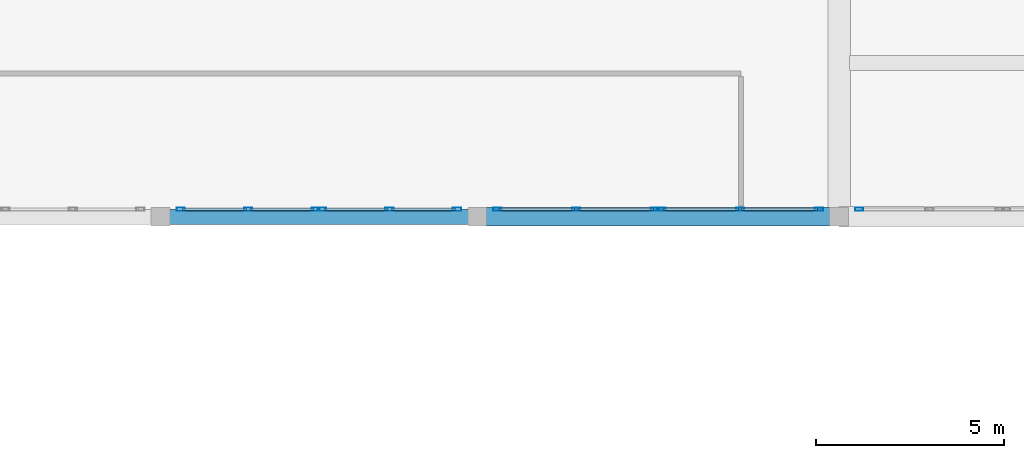
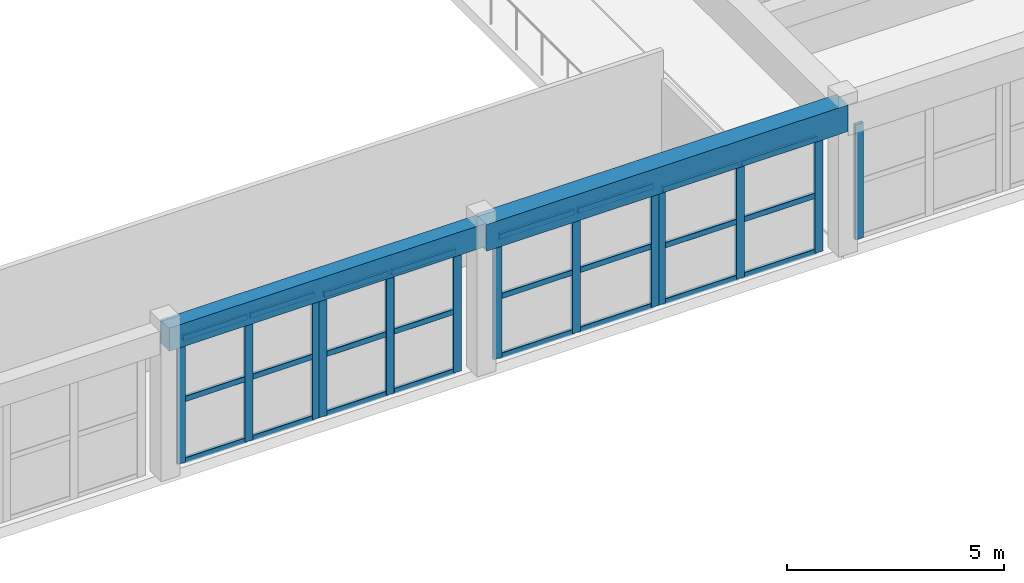
# One storey, part 19 of 92: 37 members, 2 beams, 5 elements without a shape of their own.
"""IFC4 building model written with IfcOpenShell, lengths in metres."""

from ifc_helpers import new_model, si_unit, direction, frame, origin, origin_2d, place, context, subcontext, project, spatial, rectangle, hollow_rectangle, extrude, material, layer, layer_set, material_profile, profile_set, type_object, element, aggregate, save


model = new_model("IFC4")

# Units and contexts
model_context = context("Model", 3, precision=1e-05, world=origin(), true_north=direction((0.0, 1.0)))
body_context = subcontext(model_context, "Body", "Model", "MODEL_VIEW")
ifc_project = project(units=[si_unit("LENGTHUNIT", "METRE"), si_unit("AREAUNIT", "SQUARE_METRE"), si_unit("VOLUMEUNIT", "CUBIC_METRE"), si_unit("PLANEANGLEUNIT", "RADIAN"), si_unit("MASSUNIT", "GRAM", prefix="KILO")], contexts=[model_context])

# Site, building, storey
site_placement = place(None, origin())
site = spatial("IfcSite", under=ifc_project, at=site_placement, CompositionType="ELEMENT")
building_placement = place(site_placement, origin())
building = spatial("IfcBuilding", under=site, at=building_placement, Name="Tarnavel Promenade Courthouse", CompositionType="ELEMENT")
storey_placement = place(building_placement, frame((0.0, 0.0, 5.39990234375)))
storey = spatial("IfcBuildingStorey", under=building, at=storey_placement, Name="L02", CompositionType="ELEMENT", Elevation=5.39990234375)

# Beams
ifc_material_1 = material(Name="Concrete C40/50", Category="concrete")
ifc_material_profile_1 = material_profile(ifc_material_1, rectangle(XDim=0.39990234375, YDim=0.64990234375, at=origin_2d()), Name="RC 400x650")
ifc_profile_set_1 = profile_set([ifc_material_profile_1], Name="Concrete C40/50")
beam_type_1 = type_object("IfcBeamType", Name="Concrete C40/50 BM-RC-400x650 (RC 400x650)", PredefinedType="BEAM", material=ifc_profile_set_1)
beam_1_placement = place(storey_placement, frame((84.0, 46.800048828125, 3.8701171875), z_axis=(1.0, 0.0, 0.0), x_axis=(0.0, 1.0, 0.0)))
element("IfcBeam", 1, at=beam_1_placement, inside=storey, type_object=beam_type_1, Name="L02 Primary Longitudinal Beam 1113", PredefinedType="BEAM", context=body_context, shape_type="SweptSolid", body=[
    extrude(rectangle(XDim=0.39990234375, YDim=0.64990234375, at=origin_2d()), origin(), (0.0, 0.0, 1.0), 8.39990234375),
])
ifc_material_profile_2 = material_profile(ifc_material_1, rectangle(XDim=0.5, YDim=0.75, at=origin_2d()), Name="RC 500x750")
ifc_profile_set_2 = profile_set([ifc_material_profile_2], Name="Concrete C40/50")
beam_type_2 = type_object("IfcBeamType", Name="Concrete C40/50 BM-RC-500x750 (RC 500x750)", PredefinedType="T_BEAM", material=ifc_profile_set_2)
beam_2_placement = place(storey_placement, frame((92.39990234375, 46.800048828125, 3.820068359375), z_axis=(1.0, 0.0, 0.0), x_axis=(0.0, 1.0, 0.0)))
element("IfcBeam", 2, at=beam_2_placement, inside=storey, type_object=beam_type_2, Name="L02 Primary Longitudinal Beam 1114", PredefinedType="T_BEAM", context=body_context, shape_type="SweptSolid", body=[
    extrude(rectangle(XDim=0.5, YDim=0.75, at=origin_2d()), origin(), (0.0, 0.0, 1.0), 9.60009765625),
])

# Curtain wall, members
ifc_material_2 = material(Name="Thermally Broken Anodised Aluminium Curtain Wall System", Category="aluminium")
ifc_layer = layer(ifc_material_2, 0.239990234375)
ifc_layer_set = layer_set([ifc_layer], Name="Thermally Broken Anodised Aluminium Curtain Wall System")
curtain_wall_type = type_object("IfcCurtainWallType", Name="Thermally Broken Aluminium Triple-Glazed Curtain Wall CW-WG-S", PredefinedType="NOTDEFINED", material=ifc_layer_set)
curtain_wall_1_placement = place(storey_placement, origin())
curtain_wall_1 = element("IfcCurtainWall", 3, at=curtain_wall_1_placement, inside=storey, type_object=curtain_wall_type, Name="L02 Winter-Garden South Solar Curtain Wall 073", PredefinedType="NOTDEFINED")
ifc_material_3 = material(Name="Thermally Broken Anodised Aluminium Frame", Category="aluminium")
ifc_material_profile_3 = material_profile(ifc_material_3, hollow_rectangle(XDim=0.090087890625, YDim=0.219970703125, WallThickness=0.0048828125, InnerFilletRadius=0.0048828125, OuterFilletRadius=0.010009765625, at=origin_2d()), Name="CWM 220x90x5")
ifc_profile_set_3 = profile_set([ifc_material_profile_3], Name="Thermally Broken Anodised Aluminium Frame")
member_type_1 = type_object("IfcMemberType", Name="Thermally Broken Anodised Aluminium CWM-175 (CWM 220x90x5)", PredefinedType="MULLION", material=ifc_profile_set_3)
member_1_placement = place(storey_placement, frame((84.534912109375, 47.0, 0.0), z_axis=(0.0, 0.0, 1.0), x_axis=(0.0, 1.0, 0.0)))
member_1 = element("IfcMember", 4, at=member_1_placement, type_object=member_type_1, Name="CW-02 mullion 1", PredefinedType="MULLION", context=body_context, shape_type="SweptSolid", body=[
    extrude(hollow_rectangle(XDim=0.090087890625, YDim=0.219970703125, WallThickness=0.0048828125, InnerFilletRadius=0.0048828125, OuterFilletRadius=0.010009765625, at=origin_2d()), origin(), (0.0, 0.0, 1.0), 3.530029296875),
])
member_2_placement = place(storey_placement, frame((86.324951171875, 47.0, 0.0), z_axis=(0.0, 0.0, 1.0), x_axis=(0.0, 1.0, 0.0)))
member_2 = element("IfcMember", 5, at=member_2_placement, type_object=member_type_1, Name="CW-02 mullion 2", PredefinedType="MULLION", context=body_context, shape_type="SweptSolid", body=[
    extrude(hollow_rectangle(XDim=0.090087890625, YDim=0.219970703125, WallThickness=0.0048828125, InnerFilletRadius=0.0048828125, OuterFilletRadius=0.010009765625, at=origin_2d()), origin(), (0.0, 0.0, 1.0), 3.530029296875),
])
member_3_placement = place(storey_placement, frame((88.114990234375, 47.0, 0.0), z_axis=(0.0, 0.0, 1.0), x_axis=(0.0, 1.0, 0.0)))
member_3 = element("IfcMember", 6, at=member_3_placement, type_object=member_type_1, Name="CW-02 mullion 3", PredefinedType="MULLION", context=body_context, shape_type="SweptSolid", body=[
    extrude(hollow_rectangle(XDim=0.090087890625, YDim=0.219970703125, WallThickness=0.0048828125, InnerFilletRadius=0.0048828125, OuterFilletRadius=0.010009765625, at=origin_2d()), origin(), (0.0, 0.0, 1.0), 3.530029296875),
])

curtain_wall_2_placement = place(storey_placement, origin())
curtain_wall_2 = element("IfcCurtainWall", 7, at=curtain_wall_2_placement, inside=storey, type_object=curtain_wall_type, Name="L02 Winter-Garden South Solar Curtain Wall 074", PredefinedType="NOTDEFINED")
member_4_placement = place(storey_placement, frame((88.284912109375, 47.0, 0.0), z_axis=(0.0, 0.0, 1.0), x_axis=(0.0, 1.0, 0.0)))
member_4 = element("IfcMember", 8, at=member_4_placement, type_object=member_type_1, Name="CW-02 mullion 1", PredefinedType="MULLION", context=body_context, shape_type="SweptSolid", body=[
    extrude(hollow_rectangle(XDim=0.090087890625, YDim=0.219970703125, WallThickness=0.0048828125, InnerFilletRadius=0.0048828125, OuterFilletRadius=0.010009765625, at=origin_2d()), origin(), (0.0, 0.0, 1.0), 3.43017578125),
])
member_5_placement = place(storey_placement, frame((90.074951171875, 47.0, 0.0), z_axis=(0.0, 0.0, 1.0), x_axis=(0.0, 1.0, 0.0)))
member_5 = element("IfcMember", 9, at=member_5_placement, type_object=member_type_1, Name="CW-02 mullion 2", PredefinedType="MULLION", context=body_context, shape_type="SweptSolid", body=[
    extrude(hollow_rectangle(XDim=0.090087890625, YDim=0.219970703125, WallThickness=0.0048828125, InnerFilletRadius=0.0048828125, OuterFilletRadius=0.010009765625, at=origin_2d()), origin(), (0.0, 0.0, 1.0), 3.43017578125),
])
member_6_placement = place(storey_placement, frame((91.864990234375, 47.0, 0.0), z_axis=(0.0, 0.0, 1.0), x_axis=(0.0, 1.0, 0.0)))
member_6 = element("IfcMember", 10, at=member_6_placement, type_object=member_type_1, Name="CW-02 mullion 3", PredefinedType="MULLION", context=body_context, shape_type="SweptSolid", body=[
    extrude(hollow_rectangle(XDim=0.090087890625, YDim=0.219970703125, WallThickness=0.0048828125, InnerFilletRadius=0.0048828125, OuterFilletRadius=0.010009765625, at=origin_2d()), origin(), (0.0, 0.0, 1.0), 3.43017578125),
])

curtain_wall_3_placement = place(storey_placement, origin())
curtain_wall_3 = element("IfcCurtainWall", 11, at=curtain_wall_3_placement, inside=storey, type_object=curtain_wall_type, Name="L02 Winter-Garden South Solar Curtain Wall 075", PredefinedType="NOTDEFINED")
member_7_placement = place(storey_placement, frame((92.93505859375, 47.0, 0.0), z_axis=(0.0, 0.0, 1.0), x_axis=(0.0, 1.0, 0.0)))
member_7 = element("IfcMember", 12, at=member_7_placement, type_object=member_type_1, Name="CW-02 mullion 1", PredefinedType="MULLION", context=body_context, shape_type="SweptSolid", body=[
    extrude(hollow_rectangle(XDim=0.090087890625, YDim=0.219970703125, WallThickness=0.0048828125, InnerFilletRadius=0.0048828125, OuterFilletRadius=0.010009765625, at=origin_2d()), origin(), (0.0, 0.0, 1.0), 3.43017578125),
])
member_8_placement = place(storey_placement, frame((95.02490234375, 47.0, 0.0), z_axis=(0.0, 0.0, 1.0), x_axis=(0.0, 1.0, 0.0)))
member_8 = element("IfcMember", 13, at=member_8_placement, type_object=member_type_1, Name="CW-02 mullion 2", PredefinedType="MULLION", context=body_context, shape_type="SweptSolid", body=[
    extrude(hollow_rectangle(XDim=0.090087890625, YDim=0.219970703125, WallThickness=0.0048828125, InnerFilletRadius=0.0048828125, OuterFilletRadius=0.010009765625, at=origin_2d()), origin(), (0.0, 0.0, 1.0), 3.43017578125),
])
member_9_placement = place(storey_placement, frame((97.114990234375, 47.0, 0.0), z_axis=(0.0, 0.0, 1.0), x_axis=(0.0, 1.0, 0.0)))
member_9 = element("IfcMember", 14, at=member_9_placement, type_object=member_type_1, Name="CW-02 mullion 3", PredefinedType="MULLION", context=body_context, shape_type="SweptSolid", body=[
    extrude(hollow_rectangle(XDim=0.090087890625, YDim=0.219970703125, WallThickness=0.0048828125, InnerFilletRadius=0.0048828125, OuterFilletRadius=0.010009765625, at=origin_2d()), origin(), (0.0, 0.0, 1.0), 3.43017578125),
])

curtain_wall_4_placement = place(storey_placement, origin())
curtain_wall_4 = element("IfcCurtainWall", 15, at=curtain_wall_4_placement, inside=storey, type_object=curtain_wall_type, Name="L02 Winter-Garden South Solar Curtain Wall 076", PredefinedType="NOTDEFINED")
member_10_placement = place(storey_placement, frame((97.284912109375, 47.0, 0.0), z_axis=(0.0, 0.0, 1.0), x_axis=(0.0, 1.0, 0.0)))
member_10 = element("IfcMember", 16, at=member_10_placement, type_object=member_type_1, Name="CW-02 mullion 1", PredefinedType="MULLION", context=body_context, shape_type="SweptSolid", body=[
    extrude(hollow_rectangle(XDim=0.090087890625, YDim=0.219970703125, WallThickness=0.0048828125, InnerFilletRadius=0.0048828125, OuterFilletRadius=0.010009765625, at=origin_2d()), origin(), (0.0, 0.0, 1.0), 3.22998046875),
])
member_11_placement = place(storey_placement, frame((99.375, 47.0, 0.0), z_axis=(0.0, 0.0, 1.0), x_axis=(0.0, 1.0, 0.0)))
member_11 = element("IfcMember", 17, at=member_11_placement, type_object=member_type_1, Name="CW-02 mullion 2", PredefinedType="MULLION", context=body_context, shape_type="SweptSolid", body=[
    extrude(hollow_rectangle(XDim=0.090087890625, YDim=0.219970703125, WallThickness=0.0048828125, InnerFilletRadius=0.0048828125, OuterFilletRadius=0.010009765625, at=origin_2d()), origin(), (0.0, 0.0, 1.0), 3.22998046875),
])
member_12_placement = place(storey_placement, frame((101.465087890625, 47.0, 0.0), z_axis=(0.0, 0.0, 1.0), x_axis=(0.0, 1.0, 0.0)))
member_12 = element("IfcMember", 18, at=member_12_placement, type_object=member_type_1, Name="CW-02 mullion 3", PredefinedType="MULLION", context=body_context, shape_type="SweptSolid", body=[
    extrude(hollow_rectangle(XDim=0.090087890625, YDim=0.219970703125, WallThickness=0.0048828125, InnerFilletRadius=0.0048828125, OuterFilletRadius=0.010009765625, at=origin_2d()), origin(), (0.0, 0.0, 1.0), 3.22998046875),
])

# Curtain wall, member
curtain_wall_5_placement = place(storey_placement, origin())
curtain_wall_5 = element("IfcCurtainWall", 19, at=curtain_wall_5_placement, inside=storey, type_object=curtain_wall_type, Name="L02 Winter-Garden South Solar Curtain Wall 077", PredefinedType="NOTDEFINED")
member_13_placement = place(storey_placement, frame((102.534912109375, 47.0, 0.0), z_axis=(0.0, 0.0, 1.0), x_axis=(0.0, 1.0, 0.0)))
member_13 = element("IfcMember", 20, at=member_13_placement, type_object=member_type_1, Name="CW-02 mullion 1", PredefinedType="MULLION", context=body_context, shape_type="SweptSolid", body=[
    extrude(hollow_rectangle(XDim=0.090087890625, YDim=0.219970703125, WallThickness=0.0048828125, InnerFilletRadius=0.0048828125, OuterFilletRadius=0.010009765625, at=origin_2d()), origin(), (0.0, 0.0, 1.0), 3.22998046875),
])
aggregate(curtain_wall_5, [member_13])

# Member
ifc_material_profile_4 = material_profile(ifc_material_3, hollow_rectangle(XDim=0.080078125, YDim=0.159912109375, WallThickness=0.0048828125, InnerFilletRadius=0.0048828125, OuterFilletRadius=0.010009765625, at=origin_2d()), Name="CWT 160x80x5")
ifc_profile_set_4 = profile_set([ifc_material_profile_4], Name="Thermally Broken Anodised Aluminium Frame")
member_type_2 = type_object("IfcMemberType", Name="Thermally Broken Anodised Aluminium CWT-145 (CWT 160x80x5)", PredefinedType="USERDEFINED", material=ifc_profile_set_4)
member_14_placement = place(storey_placement, frame((84.580078125, 47.0, 0.0400390625), z_axis=(1.0, 0.0, 0.0), x_axis=(0.0, 1.0, 0.0)))
member_14 = element("IfcMember", 21, at=member_14_placement, type_object=member_type_2, Name="CW-02 transom 1.1", ObjectType="TRANSOM", PredefinedType="USERDEFINED", context=body_context, shape_type="SweptSolid", body=[
    extrude(hollow_rectangle(XDim=0.080078125, YDim=0.159912109375, WallThickness=0.0048828125, InnerFilletRadius=0.0048828125, OuterFilletRadius=0.010009765625, at=origin_2d()), origin(), (0.0, 0.0, 1.0), 1.699951171875),
])

member_15_placement = place(storey_placement, frame((84.580078125, 47.0, 1.76513671875), z_axis=(1.0, 0.0, 0.0), x_axis=(0.0, 1.0, 0.0)))
member_15 = element("IfcMember", 22, at=member_15_placement, type_object=member_type_2, Name="CW-02 transom 1.2", ObjectType="TRANSOM", PredefinedType="USERDEFINED", context=body_context, shape_type="SweptSolid", body=[
    extrude(hollow_rectangle(XDim=0.080078125, YDim=0.159912109375, WallThickness=0.0048828125, InnerFilletRadius=0.0048828125, OuterFilletRadius=0.010009765625, at=origin_2d()), origin(), (0.0, 0.0, 1.0), 1.699951171875),
])

member_16_placement = place(storey_placement, frame((84.580078125, 47.0, 3.489990234375), z_axis=(1.0, 0.0, 0.0), x_axis=(0.0, 1.0, 0.0)))
member_16 = element("IfcMember", 23, at=member_16_placement, type_object=member_type_2, Name="CW-02 transom 1.3", ObjectType="TRANSOM", PredefinedType="USERDEFINED", context=body_context, shape_type="SweptSolid", body=[
    extrude(hollow_rectangle(XDim=0.080078125, YDim=0.159912109375, WallThickness=0.0048828125, InnerFilletRadius=0.0048828125, OuterFilletRadius=0.010009765625, at=origin_2d()), origin(), (0.0, 0.0, 1.0), 1.699951171875),
])

member_17_placement = place(storey_placement, frame((86.3701171875, 47.0, 0.0400390625), z_axis=(1.0, 0.0, 0.0), x_axis=(0.0, 1.0, 0.0)))
member_17 = element("IfcMember", 24, at=member_17_placement, type_object=member_type_2, Name="CW-02 transom 2.1", ObjectType="TRANSOM", PredefinedType="USERDEFINED", context=body_context, shape_type="SweptSolid", body=[
    extrude(hollow_rectangle(XDim=0.080078125, YDim=0.159912109375, WallThickness=0.0048828125, InnerFilletRadius=0.0048828125, OuterFilletRadius=0.010009765625, at=origin_2d()), origin(), (0.0, 0.0, 1.0), 1.699951171875),
])

member_18_placement = place(storey_placement, frame((86.3701171875, 47.0, 1.76513671875), z_axis=(1.0, 0.0, 0.0), x_axis=(0.0, 1.0, 0.0)))
member_18 = element("IfcMember", 25, at=member_18_placement, type_object=member_type_2, Name="CW-02 transom 2.2", ObjectType="TRANSOM", PredefinedType="USERDEFINED", context=body_context, shape_type="SweptSolid", body=[
    extrude(hollow_rectangle(XDim=0.080078125, YDim=0.159912109375, WallThickness=0.0048828125, InnerFilletRadius=0.0048828125, OuterFilletRadius=0.010009765625, at=origin_2d()), origin(), (0.0, 0.0, 1.0), 1.699951171875),
])

member_19_placement = place(storey_placement, frame((86.3701171875, 47.0, 3.489990234375), z_axis=(1.0, 0.0, 0.0), x_axis=(0.0, 1.0, 0.0)))
member_19 = element("IfcMember", 26, at=member_19_placement, type_object=member_type_2, Name="CW-02 transom 2.3", ObjectType="TRANSOM", PredefinedType="USERDEFINED", context=body_context, shape_type="SweptSolid", body=[
    extrude(hollow_rectangle(XDim=0.080078125, YDim=0.159912109375, WallThickness=0.0048828125, InnerFilletRadius=0.0048828125, OuterFilletRadius=0.010009765625, at=origin_2d()), origin(), (0.0, 0.0, 1.0), 1.699951171875),
])

aggregate(curtain_wall_1, [member_1, member_2, member_3, member_14, member_15, member_16, member_17, member_18, member_19])

member_20_placement = place(storey_placement, frame((88.330078125, 47.0, 0.0400390625), z_axis=(1.0, 0.0, 0.0), x_axis=(0.0, 1.0, 0.0)))
member_20 = element("IfcMember", 27, at=member_20_placement, type_object=member_type_2, Name="CW-02 transom 1.1", ObjectType="TRANSOM", PredefinedType="USERDEFINED", context=body_context, shape_type="SweptSolid", body=[
    extrude(hollow_rectangle(XDim=0.080078125, YDim=0.159912109375, WallThickness=0.0048828125, InnerFilletRadius=0.0048828125, OuterFilletRadius=0.010009765625, at=origin_2d()), origin(), (0.0, 0.0, 1.0), 1.699951171875),
])

member_21_placement = place(storey_placement, frame((88.330078125, 47.0, 1.715087890625), z_axis=(1.0, 0.0, 0.0), x_axis=(0.0, 1.0, 0.0)))
member_21 = element("IfcMember", 28, at=member_21_placement, type_object=member_type_2, Name="CW-02 transom 1.2", ObjectType="TRANSOM", PredefinedType="USERDEFINED", context=body_context, shape_type="SweptSolid", body=[
    extrude(hollow_rectangle(XDim=0.080078125, YDim=0.159912109375, WallThickness=0.0048828125, InnerFilletRadius=0.0048828125, OuterFilletRadius=0.010009765625, at=origin_2d()), origin(), (0.0, 0.0, 1.0), 1.699951171875),
])

member_22_placement = place(storey_placement, frame((88.330078125, 47.0, 3.39013671875), z_axis=(1.0, 0.0, 0.0), x_axis=(0.0, 1.0, 0.0)))
member_22 = element("IfcMember", 29, at=member_22_placement, type_object=member_type_2, Name="CW-02 transom 1.3", ObjectType="TRANSOM", PredefinedType="USERDEFINED", context=body_context, shape_type="SweptSolid", body=[
    extrude(hollow_rectangle(XDim=0.080078125, YDim=0.159912109375, WallThickness=0.0048828125, InnerFilletRadius=0.0048828125, OuterFilletRadius=0.010009765625, at=origin_2d()), origin(), (0.0, 0.0, 1.0), 1.699951171875),
])

member_23_placement = place(storey_placement, frame((90.1201171875, 47.0, 0.0400390625), z_axis=(1.0, 0.0, 0.0), x_axis=(0.0, 1.0, 0.0)))
member_23 = element("IfcMember", 30, at=member_23_placement, type_object=member_type_2, Name="CW-02 transom 2.1", ObjectType="TRANSOM", PredefinedType="USERDEFINED", context=body_context, shape_type="SweptSolid", body=[
    extrude(hollow_rectangle(XDim=0.080078125, YDim=0.159912109375, WallThickness=0.0048828125, InnerFilletRadius=0.0048828125, OuterFilletRadius=0.010009765625, at=origin_2d()), origin(), (0.0, 0.0, 1.0), 1.699951171875),
])

member_24_placement = place(storey_placement, frame((90.1201171875, 47.0, 1.715087890625), z_axis=(1.0, 0.0, 0.0), x_axis=(0.0, 1.0, 0.0)))
member_24 = element("IfcMember", 31, at=member_24_placement, type_object=member_type_2, Name="CW-02 transom 2.2", ObjectType="TRANSOM", PredefinedType="USERDEFINED", context=body_context, shape_type="SweptSolid", body=[
    extrude(hollow_rectangle(XDim=0.080078125, YDim=0.159912109375, WallThickness=0.0048828125, InnerFilletRadius=0.0048828125, OuterFilletRadius=0.010009765625, at=origin_2d()), origin(), (0.0, 0.0, 1.0), 1.699951171875),
])

member_25_placement = place(storey_placement, frame((90.1201171875, 47.0, 3.39013671875), z_axis=(1.0, 0.0, 0.0), x_axis=(0.0, 1.0, 0.0)))
member_25 = element("IfcMember", 32, at=member_25_placement, type_object=member_type_2, Name="CW-02 transom 2.3", ObjectType="TRANSOM", PredefinedType="USERDEFINED", context=body_context, shape_type="SweptSolid", body=[
    extrude(hollow_rectangle(XDim=0.080078125, YDim=0.159912109375, WallThickness=0.0048828125, InnerFilletRadius=0.0048828125, OuterFilletRadius=0.010009765625, at=origin_2d()), origin(), (0.0, 0.0, 1.0), 1.699951171875),
])

aggregate(curtain_wall_2, [member_4, member_5, member_6, member_20, member_21, member_22, member_23, member_24, member_25])

member_26_placement = place(storey_placement, frame((92.97998046875, 47.0, 0.0400390625), z_axis=(1.0, 0.0, 0.0), x_axis=(0.0, 1.0, 0.0)))
member_26 = element("IfcMember", 33, at=member_26_placement, type_object=member_type_2, Name="CW-02 transom 1.1", ObjectType="TRANSOM", PredefinedType="USERDEFINED", context=body_context, shape_type="SweptSolid", body=[
    extrude(hollow_rectangle(XDim=0.080078125, YDim=0.159912109375, WallThickness=0.0048828125, InnerFilletRadius=0.0048828125, OuterFilletRadius=0.010009765625, at=origin_2d()), origin(), (0.0, 0.0, 1.0), 2.0),
])

member_27_placement = place(storey_placement, frame((92.97998046875, 47.0, 1.715087890625), z_axis=(1.0, 0.0, 0.0), x_axis=(0.0, 1.0, 0.0)))
member_27 = element("IfcMember", 34, at=member_27_placement, type_object=member_type_2, Name="CW-02 transom 1.2", ObjectType="TRANSOM", PredefinedType="USERDEFINED", context=body_context, shape_type="SweptSolid", body=[
    extrude(hollow_rectangle(XDim=0.080078125, YDim=0.159912109375, WallThickness=0.0048828125, InnerFilletRadius=0.0048828125, OuterFilletRadius=0.010009765625, at=origin_2d()), origin(), (0.0, 0.0, 1.0), 2.0),
])

member_28_placement = place(storey_placement, frame((92.97998046875, 47.0, 3.39013671875), z_axis=(1.0, 0.0, 0.0), x_axis=(0.0, 1.0, 0.0)))
member_28 = element("IfcMember", 35, at=member_28_placement, type_object=member_type_2, Name="CW-02 transom 1.3", ObjectType="TRANSOM", PredefinedType="USERDEFINED", context=body_context, shape_type="SweptSolid", body=[
    extrude(hollow_rectangle(XDim=0.080078125, YDim=0.159912109375, WallThickness=0.0048828125, InnerFilletRadius=0.0048828125, OuterFilletRadius=0.010009765625, at=origin_2d()), origin(), (0.0, 0.0, 1.0), 2.0),
])

member_29_placement = place(storey_placement, frame((95.070068359375, 47.0, 0.0400390625), z_axis=(1.0, 0.0, 0.0), x_axis=(0.0, 1.0, 0.0)))
member_29 = element("IfcMember", 36, at=member_29_placement, type_object=member_type_2, Name="CW-02 transom 2.1", ObjectType="TRANSOM", PredefinedType="USERDEFINED", context=body_context, shape_type="SweptSolid", body=[
    extrude(hollow_rectangle(XDim=0.080078125, YDim=0.159912109375, WallThickness=0.0048828125, InnerFilletRadius=0.0048828125, OuterFilletRadius=0.010009765625, at=origin_2d()), origin(), (0.0, 0.0, 1.0), 2.0),
])

member_30_placement = place(storey_placement, frame((95.070068359375, 47.0, 1.715087890625), z_axis=(1.0, 0.0, 0.0), x_axis=(0.0, 1.0, 0.0)))
member_30 = element("IfcMember", 37, at=member_30_placement, type_object=member_type_2, Name="CW-02 transom 2.2", ObjectType="TRANSOM", PredefinedType="USERDEFINED", context=body_context, shape_type="SweptSolid", body=[
    extrude(hollow_rectangle(XDim=0.080078125, YDim=0.159912109375, WallThickness=0.0048828125, InnerFilletRadius=0.0048828125, OuterFilletRadius=0.010009765625, at=origin_2d()), origin(), (0.0, 0.0, 1.0), 2.0),
])

member_31_placement = place(storey_placement, frame((95.070068359375, 47.0, 3.39013671875), z_axis=(1.0, 0.0, 0.0), x_axis=(0.0, 1.0, 0.0)))
member_31 = element("IfcMember", 38, at=member_31_placement, type_object=member_type_2, Name="CW-02 transom 2.3", ObjectType="TRANSOM", PredefinedType="USERDEFINED", context=body_context, shape_type="SweptSolid", body=[
    extrude(hollow_rectangle(XDim=0.080078125, YDim=0.159912109375, WallThickness=0.0048828125, InnerFilletRadius=0.0048828125, OuterFilletRadius=0.010009765625, at=origin_2d()), origin(), (0.0, 0.0, 1.0), 2.0),
])

aggregate(curtain_wall_3, [member_7, member_8, member_9, member_26, member_27, member_28, member_29, member_30, member_31])

member_32_placement = place(storey_placement, frame((97.330078125, 47.0, 0.0400390625), z_axis=(1.0, 0.0, 0.0), x_axis=(0.0, 1.0, 0.0)))
member_32 = element("IfcMember", 39, at=member_32_placement, type_object=member_type_2, Name="CW-02 transom 1.1", ObjectType="TRANSOM", PredefinedType="USERDEFINED", context=body_context, shape_type="SweptSolid", body=[
    extrude(hollow_rectangle(XDim=0.080078125, YDim=0.159912109375, WallThickness=0.0048828125, InnerFilletRadius=0.0048828125, OuterFilletRadius=0.010009765625, at=origin_2d()), origin(), (0.0, 0.0, 1.0), 2.0),
])

member_33_placement = place(storey_placement, frame((97.330078125, 47.0, 1.614990234375), z_axis=(1.0, 0.0, 0.0), x_axis=(0.0, 1.0, 0.0)))
member_33 = element("IfcMember", 40, at=member_33_placement, type_object=member_type_2, Name="CW-02 transom 1.2", ObjectType="TRANSOM", PredefinedType="USERDEFINED", context=body_context, shape_type="SweptSolid", body=[
    extrude(hollow_rectangle(XDim=0.080078125, YDim=0.159912109375, WallThickness=0.0048828125, InnerFilletRadius=0.0048828125, OuterFilletRadius=0.010009765625, at=origin_2d()), origin(), (0.0, 0.0, 1.0), 2.0),
])

member_34_placement = place(storey_placement, frame((97.330078125, 47.0, 3.190185546875), z_axis=(1.0, 0.0, 0.0), x_axis=(0.0, 1.0, 0.0)))
member_34 = element("IfcMember", 41, at=member_34_placement, type_object=member_type_2, Name="CW-02 transom 1.3", ObjectType="TRANSOM", PredefinedType="USERDEFINED", context=body_context, shape_type="SweptSolid", body=[
    extrude(hollow_rectangle(XDim=0.080078125, YDim=0.159912109375, WallThickness=0.0048828125, InnerFilletRadius=0.0048828125, OuterFilletRadius=0.010009765625, at=origin_2d()), origin(), (0.0, 0.0, 1.0), 2.0),
])

member_35_placement = place(storey_placement, frame((99.419921875, 47.0, 0.0400390625), z_axis=(1.0, 0.0, 0.0), x_axis=(0.0, 1.0, 0.0)))
member_35 = element("IfcMember", 42, at=member_35_placement, type_object=member_type_2, Name="CW-02 transom 2.1", ObjectType="TRANSOM", PredefinedType="USERDEFINED", context=body_context, shape_type="SweptSolid", body=[
    extrude(hollow_rectangle(XDim=0.080078125, YDim=0.159912109375, WallThickness=0.0048828125, InnerFilletRadius=0.0048828125, OuterFilletRadius=0.010009765625, at=origin_2d()), origin(), (0.0, 0.0, 1.0), 2.0),
])

member_36_placement = place(storey_placement, frame((99.419921875, 47.0, 1.614990234375), z_axis=(1.0, 0.0, 0.0), x_axis=(0.0, 1.0, 0.0)))
member_36 = element("IfcMember", 43, at=member_36_placement, type_object=member_type_2, Name="CW-02 transom 2.2", ObjectType="TRANSOM", PredefinedType="USERDEFINED", context=body_context, shape_type="SweptSolid", body=[
    extrude(hollow_rectangle(XDim=0.080078125, YDim=0.159912109375, WallThickness=0.0048828125, InnerFilletRadius=0.0048828125, OuterFilletRadius=0.010009765625, at=origin_2d()), origin(), (0.0, 0.0, 1.0), 2.0),
])

member_37_placement = place(storey_placement, frame((99.419921875, 47.0, 3.190185546875), z_axis=(1.0, 0.0, 0.0), x_axis=(0.0, 1.0, 0.0)))
member_37 = element("IfcMember", 44, at=member_37_placement, type_object=member_type_2, Name="CW-02 transom 2.3", ObjectType="TRANSOM", PredefinedType="USERDEFINED", context=body_context, shape_type="SweptSolid", body=[
    extrude(hollow_rectangle(XDim=0.080078125, YDim=0.159912109375, WallThickness=0.0048828125, InnerFilletRadius=0.0048828125, OuterFilletRadius=0.010009765625, at=origin_2d()), origin(), (0.0, 0.0, 1.0), 2.0),
])

aggregate(curtain_wall_4, [member_10, member_11, member_12, member_32, member_33, member_34, member_35, member_36, member_37])

save(model, "model.ifc")
